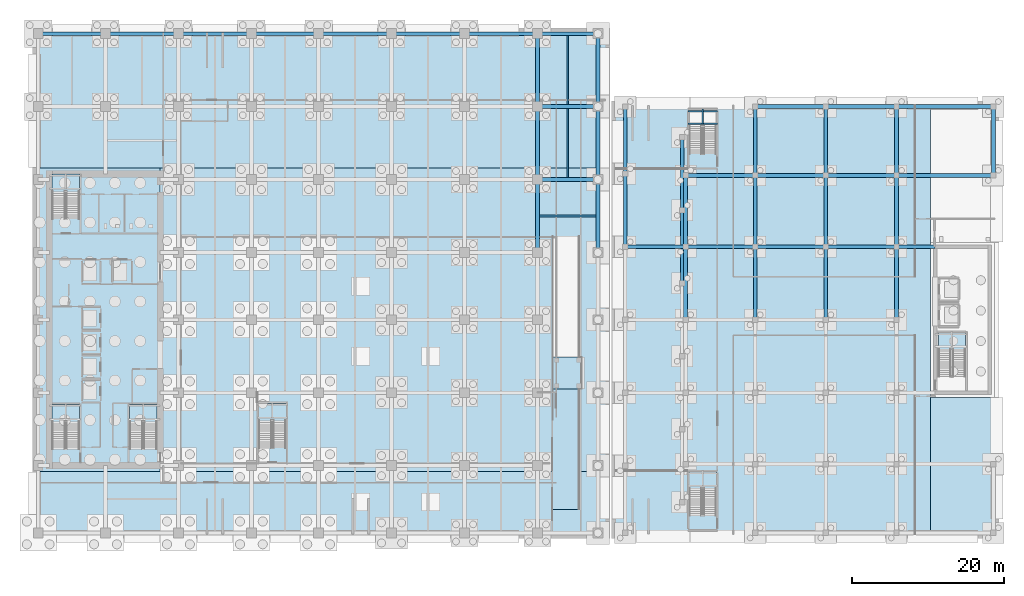
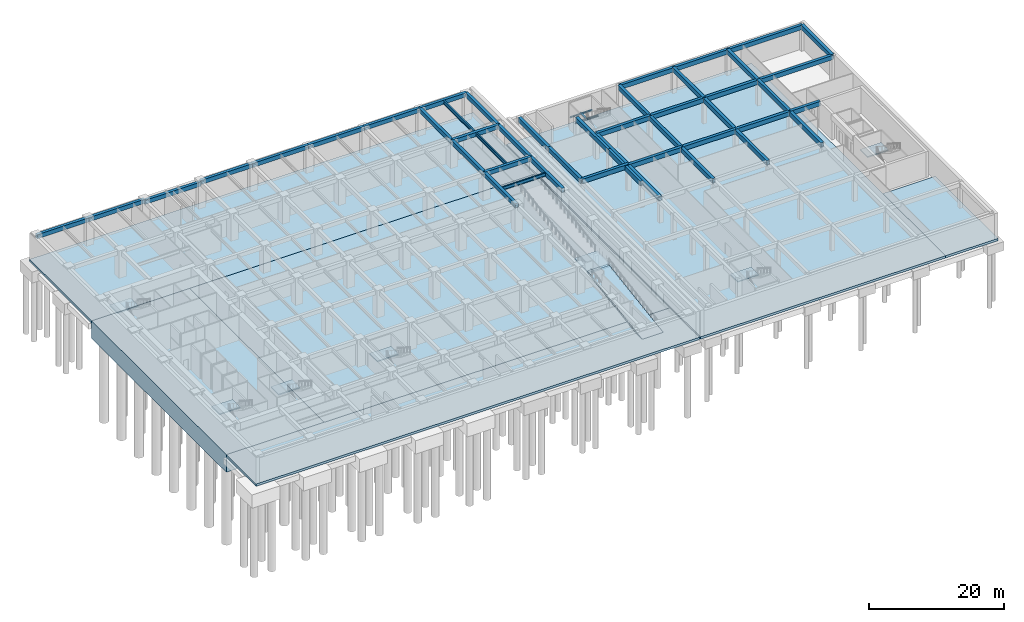
# One storey, part 7 of 20: 50 beams, 14 slabs, 6 elements without a shape of their own.
"""IFC4 building model written with IfcOpenShell, lengths in metres."""

import ifcopenshell
import ifcopenshell.guid

model = None  # the IFC model being written
_history = None  # IfcOwnerHistory: only IFC2X3 demands one
_inside = {}  # id of a spatial element -> (the spatial element, [elements in it])
_under = {}  # id of a project, library or spatial element -> (it, [spatial elements below it])
_declared = {}  # id of a project -> (the project, [libraries it declares])
_typed = {}  # id of a type object -> (the type object, [elements of that type])
_made_of = {}  # id of a material, layer set ... -> (it, [elements and type objects made of it])


def new_model(schema):
    """Start an empty IFC model of exactly this schema.

    Asked for "IFC4X3", IfcOpenShell would pick the latest addendum, in which some entities
    have other attributes; the version numbers below select the first issue.
    IFC2X3 requires an IfcOwnerHistory on every rooted entity: one is made here for all.
    """
    global model, _history
    if schema == "IFC4X3":
        model = ifcopenshell.file(schema_version=(4, 3, 0, 0))
    else:
        model = ifcopenshell.file(schema=schema)
    _inside.clear()
    _under.clear()
    _declared.clear()
    _typed.clear()
    _made_of.clear()
    _history = None
    if model.schema == "IFC2X3":
        org = make("IfcOrganization", Name="unknown")
        user = make(
            "IfcPersonAndOrganization",
            ThePerson=make("IfcPerson", FamilyName="unknown"),
            TheOrganization=org,
        )
        app = make(
            "IfcApplication",
            ApplicationDeveloper=org,
            Version="unknown",
            ApplicationFullName="unknown",
            ApplicationIdentifier="unknown",
        )
        _history = make(
            "IfcOwnerHistory",
            OwningUser=user,
            OwningApplication=app,
            ChangeAction="ADDED",
            CreationDate=0,
        )
    return model


def make(cls, **values):
    """One entity of the class cls with the attributes given. An attribute that is None is left unset."""
    return model.create_entity(
        cls, **{name: value for name, value in values.items() if value is not None}
    )


def rooted(cls, **values):
    """An entity with a GlobalId (a new one), such as an element, a storey or a relation."""
    return make(cls, GlobalId=ifcopenshell.guid.new(), OwnerHistory=_history, **values)


def si_unit(unit_type, name, prefix=None):
    """IfcSIUnit, for example si_unit("LENGTHUNIT", "METRE", prefix="MILLI")."""
    return make("IfcSIUnit", UnitType=unit_type, Prefix=prefix, Name=name)


def assignment(units):
    """IfcUnitAssignment: the units of a project."""
    return None if units is None else make("IfcUnitAssignment", Units=units)


def point(xyz):
    """IfcCartesianPoint."""
    return None if xyz is None else make("IfcCartesianPoint", Coordinates=xyz)


def direction(xyz):
    """IfcDirection."""
    return None if xyz is None else make("IfcDirection", DirectionRatios=xyz)


def frame(location, z_axis=None, x_axis=None):
    """IfcAxis2Placement3D, a coordinate frame: its origin and axes. An axis left out is left unset."""
    return make(
        "IfcAxis2Placement3D",
        Location=point(location),
        Axis=direction(z_axis),
        RefDirection=direction(x_axis),
    )


def frame_2d(location, x_axis=None):
    """IfcAxis2Placement2D, a coordinate frame in the plane: its origin and x axis."""
    return make(
        "IfcAxis2Placement2D", Location=point(location), RefDirection=direction(x_axis)
    )


def origin():
    """The frame at (0, 0, 0) with its axes left unset."""
    return frame((0.0, 0.0, 0.0))


def origin_2d():
    """The frame at (0, 0) in the plane with its x axis left unset."""
    return frame_2d((0.0, 0.0))


def place(relative_to, where):
    """IfcLocalPlacement: puts the frame where relative to a parent placement (None: the world)."""
    return make(
        "IfcLocalPlacement", PlacementRelTo=relative_to, RelativePlacement=where
    )


def context(
    kind, dimensions, precision=None, world=None, true_north=None, identifier=None
):
    """IfcGeometricRepresentationContext, for example the 3D "Model" context."""
    return make(
        "IfcGeometricRepresentationContext",
        ContextIdentifier=identifier,
        ContextType=kind,
        CoordinateSpaceDimension=dimensions,
        Precision=precision,
        WorldCoordinateSystem=world,
        TrueNorth=true_north,
    )


def subcontext(parent, identifier, kind, view, scale=None):
    """IfcGeometricRepresentationSubContext, for example "Body" below "Model"."""
    return make(
        "IfcGeometricRepresentationSubContext",
        ContextIdentifier=identifier,
        ContextType=kind,
        ParentContext=parent,
        TargetScale=scale,
        TargetView=view,
    )


def project(units=None, contexts=None):
    """IfcProject with its units and contexts."""
    return rooted(
        "IfcProject",
        Name="project",
        RepresentationContexts=contexts,
        UnitsInContext=assignment(units),
    )


def spatial(cls, under=None, at=None, **own):
    """A site, building, storey or space (cls), placed at a placement, below another one or the project."""
    s = rooted(cls, ObjectPlacement=at, **own)
    if under is not None:
        _under.setdefault(under.id(), (under, []))[1].append(s)
    return s


def polyline(points):
    """IfcPolyline through the points."""
    return make("IfcPolyline", Points=[point(p) for p in points])


def profile(cls, at=None, kind="AREA", **sizes):
    """A parametric profile (cls). Its sizes go by their IFC names, for example OverallWidth=200.0."""
    return make(cls, ProfileType=kind, Position=at, **sizes)


def rectangle(**sizes):
    """IfcRectangleProfileDef."""
    return profile("IfcRectangleProfileDef", **sizes)


def i_section(**sizes):
    """IfcIShapeProfileDef."""
    return profile("IfcIShapeProfileDef", **sizes)


def outline(outer, holes=None, kind="AREA"):
    """IfcArbitraryClosedProfileDef: a profile drawn as a closed curve; with holes, ...WithVoids."""
    if holes is None:
        return make("IfcArbitraryClosedProfileDef", ProfileType=kind, OuterCurve=outer)
    return make(
        "IfcArbitraryProfileDefWithVoids",
        ProfileType=kind,
        OuterCurve=outer,
        InnerCurves=holes,
    )


def extrude(swept, where, along, depth):
    """IfcExtrudedAreaSolid: the profile swept, set in the frame where, extruded along a direction by depth."""
    return make(
        "IfcExtrudedAreaSolid",
        SweptArea=swept,
        Position=where,
        ExtrudedDirection=direction(along),
        Depth=depth,
    )


def shape(context_of_items, identifier, shape_type, items):
    """IfcShapeRepresentation: the items that make up one representation, for example the "Body"."""
    return make(
        "IfcShapeRepresentation",
        ContextOfItems=context_of_items,
        RepresentationIdentifier=identifier,
        RepresentationType=shape_type,
        Items=items,
    )


def material(Name=None, Category=None):
    """IfcMaterial."""
    return make("IfcMaterial", Name=Name, Category=Category)


def layer(
    of_material, thickness, ventilated=None, Name=None, Category=None, Priority=None
):
    """IfcMaterialLayer: one layer of a wall or slab, of a material (None: an air gap)."""
    return make(
        "IfcMaterialLayer",
        Material=of_material,
        LayerThickness=thickness,
        IsVentilated=ventilated,
        Name=Name,
        Category=Category,
        Priority=Priority,
    )


def layer_set(layers, Name=None):
    """IfcMaterialLayerSet."""
    return make("IfcMaterialLayerSet", MaterialLayers=layers, LayerSetName=Name)


def material_profile(
    of_material, cross_section, Name=None, Category=None, Priority=None
):
    """IfcMaterialProfile: a cross section and its material."""
    return make(
        "IfcMaterialProfile",
        Name=Name,
        Material=of_material,
        Profile=cross_section,
        Priority=Priority,
        Category=Category,
    )


def profile_set(profiles, Name=None, composite=None):
    """IfcMaterialProfileSet."""
    return make(
        "IfcMaterialProfileSet",
        Name=Name,
        MaterialProfiles=profiles,
        CompositeProfile=composite,
    )


def made_of(thing, what):
    """Note that an element or type object is made of a material, layer set ...; save() writes the relation."""
    if what is not None:
        _made_of.setdefault(what.id(), (what, []))[1].append(thing)
    return thing


def type_object(cls, material=None, **own):
    """A type object (cls), such as IfcWallType, which elements share."""
    return made_of(rooted(cls, **own), material)


def element(
    cls,
    number,
    at=None,
    inside=None,
    cuts=None,
    type_object=None,
    material=None,
    context=None,
    identifier="Body",
    shape_type=None,
    held_by="IfcProductDefinitionShape",
    body=None,
    shapes=None,
    **own,
):
    """One element of the class cls, such as IfcWall. Its Tag is "e" and its number.

    at: its placement. inside: the storey or other place that contains it. cuts: it is an
    opening in that element (IfcRelVoidsElement). A single representation is given by context,
    identifier, shape_type and body (its items); several are given by shapes. held_by: the class
    of the entity that holds the representations. save() writes the other relations.
    """
    e = rooted(cls, Tag="e%d" % number, ObjectPlacement=at, **own)
    if body is not None:
        shapes = [shape(context, identifier, shape_type, body)]
    if shapes is not None:
        e.Representation = make(held_by, Representations=shapes)
    if inside is not None:
        _inside.setdefault(inside.id(), (inside, []))[1].append(e)
    if cuts is not None:
        rooted(
            "IfcRelVoidsElement", RelatingBuildingElement=cuts, RelatedOpeningElement=e
        )
    if type_object is not None:
        _typed.setdefault(type_object.id(), (type_object, []))[1].append(e)
    return made_of(e, material)


def aggregate(whole, parts):
    """IfcRelAggregates: a whole, such as a stair, and the parts it consists of."""
    return rooted("IfcRelAggregates", RelatingObject=whole, RelatedObjects=parts)


def save(model, path):
    """Write the relations noted so far, then the file.

    IfcRelAggregates (storeys below a building ...), IfcRelContainedInSpatialStructure (elements
    in a storey), IfcRelDefinesByType, IfcRelAssociatesMaterial and IfcRelDeclares: one each for
    every whole, place, type object, material and project.
    """
    for whole, parts in _under.values():
        aggregate(whole, parts)
    for where, things in _inside.values():
        rooted(
            "IfcRelContainedInSpatialStructure",
            RelatedElements=things,
            RelatingStructure=where,
        )
    for kind, things in _typed.values():
        rooted("IfcRelDefinesByType", RelatedObjects=things, RelatingType=kind)
    for what, things in _made_of.values():
        rooted("IfcRelAssociatesMaterial", RelatedObjects=things, RelatingMaterial=what)
    for by, libraries in _declared.values():
        rooted("IfcRelDeclares", RelatingContext=by, RelatedDefinitions=libraries)
    model.write(path)


model = new_model("IFC4")

# Units and contexts
model_context = context("Model", 3, precision=1e-05, world=origin(), true_north=direction((0.0, 1.0)))
body_context = subcontext(model_context, "Body", "Model", "MODEL_VIEW")
ifc_project = project(units=[si_unit("LENGTHUNIT", "METRE"), si_unit("AREAUNIT", "SQUARE_METRE"), si_unit("VOLUMEUNIT", "CUBIC_METRE"), si_unit("PLANEANGLEUNIT", "RADIAN"), si_unit("MASSUNIT", "GRAM", prefix="KILO")], contexts=[model_context])

# Site, building, storey
site_placement = place(None, origin())
site = spatial("IfcSite", under=ifc_project, at=site_placement, CompositionType="ELEMENT")
building_placement = place(site_placement, origin())
building = spatial("IfcBuilding", under=site, at=building_placement, Name="Norrvale University Quadrangle", CompositionType="ELEMENT")
storey_placement = place(building_placement, frame((0.0, 0.0, -5.0)))
storey = spatial("IfcBuildingStorey", under=building, at=storey_placement, Name="B01", CompositionType="ELEMENT", Elevation=-5.0)

# Beams
ifc_material_1 = material(Name="Concrete C60/75", Category="concrete")
ifc_material_profile_1 = material_profile(ifc_material_1, rectangle(XDim=0.5, YDim=0.75, at=origin_2d()), Name="Concrete C60/75")
ifc_profile_set_1 = profile_set([ifc_material_profile_1], Name="Concrete C60/75")
beam_type_1 = type_object("IfcBeamType", Name="Beam Edge 500x750", PredefinedType="BEAM", material=ifc_profile_set_1)
for number, where, z_axis, x_axis, name in (
    (1, (66.449951171875, 47.25, 4.405029296875), (1.0, 0.0, 0.0), (0.0, 1.0, 0.0), "Beam Edge 500x750 BM-B01-GX034"),
    (2, (66.449951171875, 56.85009765625, 4.405029296875), (1.0, 0.0, 0.0), (0.0, 1.0, 0.0), "Beam Edge 500x750 BM-B01-GX042"),
):
    element("IfcBeam", number, at=place(storey_placement, frame(where, z_axis=z_axis, x_axis=x_axis)), inside=storey, type_object=beam_type_1, Name=name, PredefinedType="BEAM", context=body_context, shape_type="SweptSolid", body=[
        extrude(rectangle(XDim=0.5, YDim=0.75, at=origin_2d()), origin(), (0.0, 0.0, 1.0), 7.949951171875),
    ])
beam_1_placement = place(storey_placement, frame((0.75, 66.449951171875, 4.405029296875), z_axis=(1.0, 0.0, 0.0), x_axis=(0.0, 1.0, 0.0)))
element("IfcBeam", 3, at=beam_1_placement, inside=storey, type_object=beam_type_1, Name="Beam Edge 500x750 BM-B01-GX043", PredefinedType="BEAM", context=body_context, shape_type="SweptSolid", body=[
    extrude(rectangle(XDim=0.5, YDim=0.75, at=origin_2d()), origin(), (0.0, 0.0, 1.0), 8.85009765625),
])
beam_2_placement = place(storey_placement, frame((9.60009765625, 66.449951171875, 4.405029296875), z_axis=(1.0, 0.0, 0.0), x_axis=(0.0, 1.0, 0.0)))
element("IfcBeam", 4, at=beam_2_placement, inside=storey, type_object=beam_type_1, Name="Beam Edge 500x750 BM-B01-GX044", PredefinedType="BEAM", context=body_context, shape_type="SweptSolid", body=[
    extrude(rectangle(XDim=0.5, YDim=0.75, at=origin_2d()), origin(), (0.0, 0.0, 1.0), 9.599853515625),
])
beam_3_placement = place(storey_placement, frame((19.199951171875, 66.449951171875, 4.1650390625), z_axis=(1.0, 0.0, 0.0), x_axis=(0.0, 1.0, 0.0)))
element("IfcBeam", 5, at=beam_3_placement, inside=storey, type_object=beam_type_1, Name="Beam Edge 500x750 BM-B01-GX045", PredefinedType="BEAM", context=body_context, shape_type="SweptSolid", body=[
    extrude(rectangle(XDim=0.5, YDim=0.75, at=origin_2d()), origin(), (0.0, 0.0, 1.0), 9.60009765625),
])
beam_4_placement = place(storey_placement, frame((28.800048828125, 66.449951171875, 4.405029296875), z_axis=(1.0, 0.0, 0.0), x_axis=(0.0, 1.0, 0.0)))
element("IfcBeam", 6, at=beam_4_placement, inside=storey, type_object=beam_type_1, Name="Beam Edge 500x750 BM-B01-GX046", PredefinedType="BEAM", context=body_context, shape_type="SweptSolid", body=[
    extrude(rectangle(XDim=0.5, YDim=0.75, at=origin_2d()), origin(), (0.0, 0.0, 1.0), 8.849853515625),
])
for number, where, z_axis, x_axis, name in (
    (7, (37.64990234375, 66.449951171875, 4.405029296875), (1.0, 0.0, 0.0), (0.0, 1.0, 0.0), "Beam Edge 500x750 BM-B01-GX047"),
    (8, (47.25, 66.449951171875, 4.405029296875), (1.0, 0.0, 0.0), (0.0, 1.0, 0.0), "Beam Edge 500x750 BM-B01-GX048"),
):
    element("IfcBeam", number, at=place(storey_placement, frame(where, z_axis=z_axis, x_axis=x_axis)), inside=storey, type_object=beam_type_1, Name=name, PredefinedType="BEAM", context=body_context, shape_type="SweptSolid", body=[
        extrude(rectangle(XDim=0.5, YDim=0.75, at=origin_2d()), origin(), (0.0, 0.0, 1.0), 9.60009765625),
    ])
beam_5_placement = place(storey_placement, frame((56.85009765625, 66.449951171875, 4.405029296875), z_axis=(1.0, 0.0, 0.0), x_axis=(0.0, 1.0, 0.0)))
element("IfcBeam", 9, at=beam_5_placement, inside=storey, type_object=beam_type_1, Name="Beam Edge 500x750 BM-B01-GX049", PredefinedType="BEAM", context=body_context, shape_type="SweptSolid", body=[
    extrude(rectangle(XDim=0.5, YDim=0.75, at=origin_2d()), origin(), (0.0, 0.0, 1.0), 9.599853515625),
])
beam_6_placement = place(storey_placement, frame((66.449951171875, 66.449951171875, 4.405029296875), z_axis=(1.0, 0.0, 0.0), x_axis=(0.0, 1.0, 0.0)))
element("IfcBeam", 10, at=beam_6_placement, inside=storey, type_object=beam_type_1, Name="Beam Edge 500x750 BM-B01-GX050", PredefinedType="BEAM", context=body_context, shape_type="SweptSolid", body=[
    extrude(rectangle(XDim=0.5, YDim=0.75, at=origin_2d()), origin(), (0.0, 0.0, 1.0), 7.949951171875),
])
for number, where, z_axis, x_axis, name in (
    (11, (66.449951171875, 37.64990234375, 4.405029296875), (0.0, 1.0, 0.0), (-1.0, 0.0, 0.0), "Beam Edge 500x750 BM-B01-GY098"),
    (12, (66.449951171875, 47.25, 4.405029296875), (0.0, 1.0, 0.0), (-1.0, 0.0, 0.0), "Beam Edge 500x750 BM-B01-GY099"),
):
    element("IfcBeam", number, at=place(storey_placement, frame(where, z_axis=z_axis, x_axis=x_axis)), inside=storey, type_object=beam_type_1, Name=name, PredefinedType="BEAM", context=body_context, shape_type="SweptSolid", body=[
        extrude(rectangle(XDim=0.5, YDim=0.75, at=origin_2d()), origin(), (0.0, 0.0, 1.0), 9.60009765625),
    ])
beam_7_placement = place(storey_placement, frame((66.449951171875, 56.85009765625, 4.405029296875), z_axis=(0.0, 1.0, 0.0), x_axis=(-1.0, 0.0, 0.0)))
element("IfcBeam", 13, at=beam_7_placement, inside=storey, type_object=beam_type_1, Name="Beam Edge 500x750 BM-B01-GY100", PredefinedType="BEAM", context=body_context, shape_type="SweptSolid", body=[
    extrude(rectangle(XDim=0.5, YDim=0.75, at=origin_2d()), origin(), (0.0, 0.0, 1.0), 9.599853515625),
])
for number, where, z_axis, x_axis, name in (
    (14, (74.39990234375, 37.64990234375, 4.405029296875), (0.0, 1.0, 0.0), (-1.0, 0.0, 0.0), "Beam Edge 500x750 BM-B01-GY105"),
    (15, (74.39990234375, 47.25, 4.405029296875), (0.0, 1.0, 0.0), (-1.0, 0.0, 0.0), "Beam Edge 500x750 BM-B01-GY106"),
):
    element("IfcBeam", number, at=place(storey_placement, frame(where, z_axis=z_axis, x_axis=x_axis)), inside=storey, type_object=beam_type_1, Name=name, PredefinedType="BEAM", context=body_context, shape_type="SweptSolid", body=[
        extrude(rectangle(XDim=0.5, YDim=0.75, at=origin_2d()), origin(), (0.0, 0.0, 1.0), 9.60009765625),
    ])
beam_8_placement = place(storey_placement, frame((74.39990234375, 56.85009765625, 4.405029296875), z_axis=(0.0, 1.0, 0.0), x_axis=(-1.0, 0.0, 0.0)))
element("IfcBeam", 16, at=beam_8_placement, inside=storey, type_object=beam_type_1, Name="Beam Edge 500x750 BM-B01-GY107", PredefinedType="BEAM", context=body_context, shape_type="SweptSolid", body=[
    extrude(rectangle(XDim=0.5, YDim=0.75, at=origin_2d()), origin(), (0.0, 0.0, 1.0), 9.599853515625),
])
ifc_material_2 = material(Name="Steel 350W", Category="steel")
ifc_material_profile_2 = material_profile(ifc_material_2, i_section(OverallWidth=0.22998046875, OverallDepth=0.616943359375, WebThickness=0.01318359375, FlangeThickness=0.022216796875, FilletRadius=0.01611328125, at=origin_2d()), Name="Steel 350W")
ifc_profile_set_2 = profile_set([ifc_material_profile_2], Name="Steel 350W")
beam_type_2 = type_object("IfcBeamType", Name="Beam Floor W610x140", PredefinedType="BEAM", material=ifc_profile_set_2)
beam_9_placement = place(storey_placement, frame((66.699951171875, 42.449951171875, 4.471435546875), z_axis=(1.0, 0.0, 0.0), x_axis=(0.0, 1.0, 0.0)))
element("IfcBeam", 17, at=beam_9_placement, inside=storey, type_object=beam_type_2, Name="Beam Floor W610x140 BM-B01-J154", PredefinedType="BEAM", context=body_context, shape_type="SweptSolid", body=[
    extrude(i_section(OverallWidth=0.22998046875, OverallDepth=0.616943359375, WebThickness=0.01318359375, FlangeThickness=0.022216796875, FilletRadius=0.01611328125, at=origin_2d()), origin(), (0.0, 0.0, 1.0), 7.449951171875),
])
beam_10_placement = place(storey_placement, frame((70.425048828125, 47.5, 4.471435546875), z_axis=(0.0, 1.0, 0.0), x_axis=(-1.0, 0.0, 0.0)))
element("IfcBeam", 18, at=beam_10_placement, inside=storey, type_object=beam_type_2, Name="Beam Floor W610x140 BM-B01-J155", PredefinedType="BEAM", context=body_context, shape_type="SweptSolid", body=[
    extrude(i_section(OverallWidth=0.22998046875, OverallDepth=0.616943359375, WebThickness=0.01318359375, FlangeThickness=0.022216796875, FilletRadius=0.01611328125, at=origin_2d()), origin(), (0.0, 0.0, 1.0), 9.10009765625),
])
beam_11_placement = place(storey_placement, frame((70.425048828125, 57.10009765625, 4.471435546875), z_axis=(0.0, 1.0, 0.0), x_axis=(-1.0, 0.0, 0.0)))
element("IfcBeam", 19, at=beam_11_placement, inside=storey, type_object=beam_type_2, Name="Beam Floor W610x140 BM-B01-J156", PredefinedType="BEAM", context=body_context, shape_type="SweptSolid", body=[
    extrude(i_section(OverallWidth=0.22998046875, OverallDepth=0.616943359375, WebThickness=0.01318359375, FlangeThickness=0.022216796875, FilletRadius=0.01611328125, at=origin_2d()), origin(), (0.0, 0.0, 1.0), 9.099853515625),
])
ifc_material_profile_3 = material_profile(ifc_material_1, rectangle(XDim=0.5, YDim=0.800048828125, at=origin_2d()), Name="Concrete C60/75")
ifc_profile_set_3 = profile_set([ifc_material_profile_3], Name="Concrete C60/75")
beam_type_3 = type_object("IfcBeamType", Name="Beam Lib 500x800", PredefinedType="BEAM", material=ifc_profile_set_3)
beam_12_placement = place(storey_placement, frame((78.0, 38.39990234375, 4.3798828125), z_axis=(1.0, 0.0, 0.0), x_axis=(0.0, 1.0, 0.0)))
element("IfcBeam", 20, at=beam_12_placement, inside=storey, type_object=beam_type_3, Name="Beam Lib 500x800 BM-B01-LGX016", PredefinedType="BEAM", context=body_context, shape_type="SweptSolid", body=[
    extrude(rectangle(XDim=0.5, YDim=0.800048828125, at=origin_2d()), origin(), (0.0, 0.0, 1.0), 7.949951171875),
])
beam_13_placement = place(storey_placement, frame((85.949951171875, 38.39990234375, 4.25), z_axis=(1.0, 0.0, 0.0), x_axis=(0.0, 1.0, 0.0)))
element("IfcBeam", 21, at=beam_13_placement, inside=storey, type_object=beam_type_3, Name="Beam Lib 500x800 BM-B01-LGX017", PredefinedType="BEAM", context=body_context, shape_type="SweptSolid", body=[
    extrude(rectangle(XDim=0.5, YDim=0.800048828125, at=origin_2d()), origin(), (0.0, 0.0, 1.0), 9.150146484375),
])
beam_14_placement = place(storey_placement, frame((95.10009765625, 38.39990234375, 4.25), z_axis=(1.0, 0.0, 0.0), x_axis=(0.0, 1.0, 0.0)))
element("IfcBeam", 22, at=beam_14_placement, inside=storey, type_object=beam_type_3, Name="Beam Lib 500x800 BM-B01-LGX018", PredefinedType="BEAM", context=body_context, shape_type="SweptSolid", body=[
    extrude(rectangle(XDim=0.5, YDim=0.800048828125, at=origin_2d()), origin(), (0.0, 0.0, 1.0), 9.2998046875),
])
beam_15_placement = place(storey_placement, frame((104.39990234375, 38.39990234375, 4.25), z_axis=(1.0, 0.0, 0.0), x_axis=(0.0, 1.0, 0.0)))
element("IfcBeam", 23, at=beam_15_placement, inside=storey, type_object=beam_type_3, Name="Beam Lib 500x800 BM-B01-LGX019", PredefinedType="BEAM", context=body_context, shape_type="SweptSolid", body=[
    extrude(rectangle(XDim=0.5, YDim=0.800048828125, at=origin_2d()), origin(), (0.0, 0.0, 1.0), 9.300048828125),
])
beam_16_placement = place(storey_placement, frame((85.949951171875, 47.800048828125, 4.25), z_axis=(1.0, 0.0, 0.0), x_axis=(0.0, 1.0, 0.0)))
element("IfcBeam", 24, at=beam_16_placement, inside=storey, type_object=beam_type_3, Name="Beam Lib 500x800 BM-B01-LGX020", PredefinedType="BEAM", context=body_context, shape_type="SweptSolid", body=[
    extrude(rectangle(XDim=0.5, YDim=0.800048828125, at=origin_2d()), origin(), (0.0, 0.0, 1.0), 9.150146484375),
])
beam_17_placement = place(storey_placement, frame((95.10009765625, 47.800048828125, 4.25), z_axis=(1.0, 0.0, 0.0), x_axis=(0.0, 1.0, 0.0)))
element("IfcBeam", 25, at=beam_17_placement, inside=storey, type_object=beam_type_3, Name="Beam Lib 500x800 BM-B01-LGX021", PredefinedType="BEAM", context=body_context, shape_type="SweptSolid", body=[
    extrude(rectangle(XDim=0.5, YDim=0.800048828125, at=origin_2d()), origin(), (0.0, 0.0, 1.0), 9.2998046875),
])
beam_18_placement = place(storey_placement, frame((104.39990234375, 47.800048828125, 4.25), z_axis=(1.0, 0.0, 0.0), x_axis=(0.0, 1.0, 0.0)))
element("IfcBeam", 26, at=beam_18_placement, inside=storey, type_object=beam_type_3, Name="Beam Lib 500x800 BM-B01-LGX022", PredefinedType="BEAM", context=body_context, shape_type="SweptSolid", body=[
    extrude(rectangle(XDim=0.5, YDim=0.800048828125, at=origin_2d()), origin(), (0.0, 0.0, 1.0), 9.300048828125),
])
beam_19_placement = place(storey_placement, frame((113.699951171875, 47.800048828125, 4.25), z_axis=(1.0, 0.0, 0.0), x_axis=(0.0, 1.0, 0.0)))
element("IfcBeam", 27, at=beam_19_placement, inside=storey, type_object=beam_type_3, Name="Beam Lib 500x800 BM-B01-LGX023", PredefinedType="BEAM", context=body_context, shape_type="SweptSolid", body=[
    extrude(rectangle(XDim=0.5, YDim=0.800048828125, at=origin_2d()), origin(), (0.0, 0.0, 1.0), 12.75),
])
beam_20_placement = place(storey_placement, frame((95.10009765625, 56.85009765625, 4.25), z_axis=(1.0, 0.0, 0.0), x_axis=(0.0, 1.0, 0.0)))
element("IfcBeam", 28, at=beam_20_placement, inside=storey, type_object=beam_type_3, Name="Beam Lib 500x800 BM-B01-LGX024", PredefinedType="BEAM", context=body_context, shape_type="SweptSolid", body=[
    extrude(rectangle(XDim=0.5, YDim=0.800048828125, at=origin_2d()), origin(), (0.0, 0.0, 1.0), 9.2998046875),
])
beam_21_placement = place(storey_placement, frame((104.39990234375, 56.85009765625, 4.25), z_axis=(1.0, 0.0, 0.0), x_axis=(0.0, 1.0, 0.0)))
element("IfcBeam", 29, at=beam_21_placement, inside=storey, type_object=beam_type_3, Name="Beam Lib 500x800 BM-B01-LGX025", PredefinedType="BEAM", context=body_context, shape_type="SweptSolid", body=[
    extrude(rectangle(XDim=0.5, YDim=0.800048828125, at=origin_2d()), origin(), (0.0, 0.0, 1.0), 9.300048828125),
])
beam_22_placement = place(storey_placement, frame((113.699951171875, 56.85009765625, 4.25), z_axis=(1.0, 0.0, 0.0), x_axis=(0.0, 1.0, 0.0)))
element("IfcBeam", 30, at=beam_22_placement, inside=storey, type_object=beam_type_3, Name="Beam Lib 500x800 BM-B01-LGX026", PredefinedType="BEAM", context=body_context, shape_type="SweptSolid", body=[
    extrude(rectangle(XDim=0.5, YDim=0.800048828125, at=origin_2d()), origin(), (0.0, 0.0, 1.0), 12.75),
])
beam_23_placement = place(storey_placement, frame((78.0, 38.39990234375, 4.3798828125), z_axis=(0.0, 1.0, 0.0), x_axis=(-1.0, 0.0, 0.0)))
element("IfcBeam", 31, at=beam_23_placement, inside=storey, type_object=beam_type_3, Name="Beam Lib 500x800 BM-B01-LGY031", PredefinedType="BEAM", context=body_context, shape_type="SweptSolid", body=[
    extrude(rectangle(XDim=0.5, YDim=0.800048828125, at=origin_2d()), origin(), (0.0, 0.0, 1.0), 9.60009765625),
])
beam_24_placement = place(storey_placement, frame((78.0, 48.0, 4.3798828125), z_axis=(0.0, 1.0, 0.0), x_axis=(-1.0, 0.0, 0.0)))
element("IfcBeam", 32, at=beam_24_placement, inside=storey, type_object=beam_type_3, Name="Beam Lib 500x800 BM-B01-LGY032", PredefinedType="BEAM", context=body_context, shape_type="SweptSolid", body=[
    extrude(rectangle(XDim=0.5, YDim=0.800048828125, at=origin_2d()), origin(), (0.0, 0.0, 1.0), 8.85009765625),
])
beam_25_placement = place(storey_placement, frame((85.5, 33.60009765625, 4.25), z_axis=(0.0, 1.0, 0.0), x_axis=(-1.0, 0.0, 0.0)))
element("IfcBeam", 33, at=beam_25_placement, inside=storey, type_object=beam_type_3, Name="Beam Lib 500x800 BM-B01-LGY036", PredefinedType="BEAM", context=body_context, shape_type="SweptSolid", body=[
    extrude(rectangle(XDim=0.5, YDim=0.800048828125, at=origin_2d()), origin(), (0.0, 0.0, 1.0), 9.599853515625),
])
beam_26_placement = place(storey_placement, frame((85.5, 43.199951171875, 4.25), z_axis=(0.0, 1.0, 0.0), x_axis=(-1.0, 0.0, 0.0)))
element("IfcBeam", 34, at=beam_26_placement, inside=storey, type_object=beam_type_3, Name="Beam Lib 500x800 BM-B01-LGY037", PredefinedType="BEAM", context=body_context, shape_type="SweptSolid", body=[
    extrude(rectangle(XDim=0.5, YDim=0.800048828125, at=origin_2d()), origin(), (0.0, 0.0, 1.0), 9.60009765625),
])
beam_27_placement = place(storey_placement, frame((85.949951171875, 28.800048828125, 4.25), z_axis=(0.0, 1.0, 0.0), x_axis=(-1.0, 0.0, 0.0)))
element("IfcBeam", 35, at=beam_27_placement, inside=storey, type_object=beam_type_3, Name="Beam Lib 500x800 BM-B01-LGY040", PredefinedType="BEAM", context=body_context, shape_type="SweptSolid", body=[
    extrude(rectangle(XDim=0.5, YDim=0.800048828125, at=origin_2d()), origin(), (0.0, 0.0, 1.0), 9.599853515625),
])
beam_28_placement = place(storey_placement, frame((85.949951171875, 38.39990234375, 4.25), z_axis=(0.0, 1.0, 0.0), x_axis=(-1.0, 0.0, 0.0)))
element("IfcBeam", 36, at=beam_28_placement, inside=storey, type_object=beam_type_3, Name="Beam Lib 500x800 BM-B01-LGY041", PredefinedType="BEAM", context=body_context, shape_type="SweptSolid", body=[
    extrude(rectangle(XDim=0.5, YDim=0.800048828125, at=origin_2d()), origin(), (0.0, 0.0, 1.0), 9.400146484375),
])
beam_29_placement = place(storey_placement, frame((95.10009765625, 28.800048828125, 4.25), z_axis=(0.0, 1.0, 0.0), x_axis=(-1.0, 0.0, 0.0)))
element("IfcBeam", 37, at=beam_29_placement, inside=storey, type_object=beam_type_3, Name="Beam Lib 500x800 BM-B01-LGY045", PredefinedType="BEAM", context=body_context, shape_type="SweptSolid", body=[
    extrude(rectangle(XDim=0.5, YDim=0.800048828125, at=origin_2d()), origin(), (0.0, 0.0, 1.0), 9.599853515625),
])
beam_30_placement = place(storey_placement, frame((95.10009765625, 38.39990234375, 4.25), z_axis=(0.0, 1.0, 0.0), x_axis=(-1.0, 0.0, 0.0)))
element("IfcBeam", 38, at=beam_30_placement, inside=storey, type_object=beam_type_3, Name="Beam Lib 500x800 BM-B01-LGY046", PredefinedType="BEAM", context=body_context, shape_type="SweptSolid", body=[
    extrude(rectangle(XDim=0.5, YDim=0.800048828125, at=origin_2d()), origin(), (0.0, 0.0, 1.0), 9.400146484375),
])
beam_31_placement = place(storey_placement, frame((95.10009765625, 47.800048828125, 4.25), z_axis=(0.0, 1.0, 0.0), x_axis=(-1.0, 0.0, 0.0)))
element("IfcBeam", 39, at=beam_31_placement, inside=storey, type_object=beam_type_3, Name="Beam Lib 500x800 BM-B01-LGY047", PredefinedType="BEAM", context=body_context, shape_type="SweptSolid", body=[
    extrude(rectangle(XDim=0.5, YDim=0.800048828125, at=origin_2d()), origin(), (0.0, 0.0, 1.0), 9.050048828125),
])
beam_32_placement = place(storey_placement, frame((104.39990234375, 28.800048828125, 4.25), z_axis=(0.0, 1.0, 0.0), x_axis=(-1.0, 0.0, 0.0)))
element("IfcBeam", 40, at=beam_32_placement, inside=storey, type_object=beam_type_3, Name="Beam Lib 500x800 BM-B01-LGY051", PredefinedType="BEAM", context=body_context, shape_type="SweptSolid", body=[
    extrude(rectangle(XDim=0.5, YDim=0.800048828125, at=origin_2d()), origin(), (0.0, 0.0, 1.0), 9.599853515625),
])
beam_33_placement = place(storey_placement, frame((104.39990234375, 38.39990234375, 4.25), z_axis=(0.0, 1.0, 0.0), x_axis=(-1.0, 0.0, 0.0)))
element("IfcBeam", 41, at=beam_33_placement, inside=storey, type_object=beam_type_3, Name="Beam Lib 500x800 BM-B01-LGY052", PredefinedType="BEAM", context=body_context, shape_type="SweptSolid", body=[
    extrude(rectangle(XDim=0.5, YDim=0.800048828125, at=origin_2d()), origin(), (0.0, 0.0, 1.0), 9.400146484375),
])
beam_34_placement = place(storey_placement, frame((104.39990234375, 47.800048828125, 4.25), z_axis=(0.0, 1.0, 0.0), x_axis=(-1.0, 0.0, 0.0)))
element("IfcBeam", 42, at=beam_34_placement, inside=storey, type_object=beam_type_3, Name="Beam Lib 500x800 BM-B01-LGY053", PredefinedType="BEAM", context=body_context, shape_type="SweptSolid", body=[
    extrude(rectangle(XDim=0.5, YDim=0.800048828125, at=origin_2d()), origin(), (0.0, 0.0, 1.0), 9.050048828125),
])
beam_35_placement = place(storey_placement, frame((113.699951171875, 28.800048828125, 4.25), z_axis=(0.0, 1.0, 0.0), x_axis=(-1.0, 0.0, 0.0)))
element("IfcBeam", 43, at=beam_35_placement, inside=storey, type_object=beam_type_3, Name="Beam Lib 500x800 BM-B01-LGY057", PredefinedType="BEAM", context=body_context, shape_type="SweptSolid", body=[
    extrude(rectangle(XDim=0.5, YDim=0.800048828125, at=origin_2d()), origin(), (0.0, 0.0, 1.0), 9.599853515625),
])
beam_36_placement = place(storey_placement, frame((113.699951171875, 38.39990234375, 4.25), z_axis=(0.0, 1.0, 0.0), x_axis=(-1.0, 0.0, 0.0)))
element("IfcBeam", 44, at=beam_36_placement, inside=storey, type_object=beam_type_3, Name="Beam Lib 500x800 BM-B01-LGY058", PredefinedType="BEAM", context=body_context, shape_type="SweptSolid", body=[
    extrude(rectangle(XDim=0.5, YDim=0.800048828125, at=origin_2d()), origin(), (0.0, 0.0, 1.0), 9.400146484375),
])
for number, where, z_axis, x_axis, name in (
    (45, (113.699951171875, 47.800048828125, 4.25), (0.0, 1.0, 0.0), (-1.0, 0.0, 0.0), "Beam Lib 500x800 BM-B01-LGY059"),
    (46, (126.449951171875, 47.800048828125, 4.25), (0.0, 1.0, 0.0), (-1.0, 0.0, 0.0), "Beam Lib 500x800 BM-B01-LGY061"),
):
    element("IfcBeam", number, at=place(storey_placement, frame(where, z_axis=z_axis, x_axis=x_axis)), inside=storey, type_object=beam_type_3, Name=name, PredefinedType="BEAM", context=body_context, shape_type="SweptSolid", body=[
        extrude(rectangle(XDim=0.5, YDim=0.800048828125, at=origin_2d()), origin(), (0.0, 0.0, 1.0), 9.050048828125),
    ])
beam_37_placement = place(storey_placement, frame((113.699951171875, 38.39990234375, 4.25), z_axis=(1.0, 0.0, 0.0), x_axis=(0.0, 1.0, 0.0)))
element("IfcBeam", 47, at=beam_37_placement, inside=storey, type_object=beam_type_3, Name="Beam Lib 500x800 BM-B01-LCTIE063", PredefinedType="BEAM", context=body_context, shape_type="SweptSolid", body=[
    extrude(rectangle(XDim=0.5, YDim=0.800048828125, at=origin_2d()), origin(), (0.0, 0.0, 1.0), 5.10009765625),
])
ifc_material_profile_4 = material_profile(ifc_material_2, i_section(OverallWidth=0.201904296875, OverallDepth=0.2470703125, WebThickness=0.00732421875, FlangeThickness=0.010986328125, FilletRadius=0.011962890625, at=origin_2d()), Name="Steel 350W")
ifc_profile_set_4 = profile_set([ifc_material_profile_4], Name="Steel 350W")
beam_type_4 = type_object("IfcBeamType", Name="Beam Stair W250x49", PredefinedType="BEAM", material=ifc_profile_set_4)
for number, where, z_axis, x_axis, name in (
    (48, (86.260009765625, 54.580078125, 2.176513671875), (1.0, 0.0, 0.0), (0.0, 1.0, 0.0), "Stair Mid-Landing Front Beam ST-L3 B01"),
    (49, (86.260009765625, 56.219970703125, 2.176513671875), (1.0, 0.0, 0.0), (0.0, 1.0, 0.0), "Stair Mid-Landing Rear Beam ST-L3 B01"),
):
    element("IfcBeam", number, at=place(storey_placement, frame(where, z_axis=z_axis, x_axis=x_axis)), inside=storey, type_object=beam_type_4, Name=name, PredefinedType="BEAM", context=body_context, shape_type="SweptSolid", body=[
        extrude(i_section(OverallWidth=0.201904296875, OverallDepth=0.2470703125, WebThickness=0.00732421875, FlangeThickness=0.010986328125, FilletRadius=0.011962890625, at=origin_2d()), origin(), (0.0, 0.0, 1.0), 3.8798828125),
    ])
ifc_material_profile_5 = material_profile(ifc_material_2, i_section(OverallWidth=0.202880859375, OverallDepth=0.202880859375, WebThickness=0.007080078125, FlangeThickness=0.010986328125, FilletRadius=0.010009765625, at=origin_2d()), Name="Steel 350W")
ifc_profile_set_5 = profile_set([ifc_material_profile_5], Name="Steel 350W")
beam_type_5 = type_object("IfcBeamType", Name="Beam Trim W200x46", PredefinedType="BEAM", material=ifc_profile_set_5)
beam_38_placement = place(storey_placement, frame((88.199951171875, 54.580078125, 2.198486328125), z_axis=(0.0, 1.0, 0.0), x_axis=(-1.0, 0.0, 0.0)))
element("IfcBeam", 50, at=beam_38_placement, inside=storey, type_object=beam_type_5, Name="Stair Mid-Landing Cross Beam ST-L3 B01", PredefinedType="BEAM", context=body_context, shape_type="SweptSolid", body=[
    extrude(i_section(OverallWidth=0.202880859375, OverallDepth=0.202880859375, WebThickness=0.007080078125, FlangeThickness=0.010986328125, FilletRadius=0.010009765625, at=origin_2d()), origin(), (0.0, 0.0, 1.0), 1.9599609375),
])

# Slabs
ifc_material_3 = material(Name="Concrete C50/60", Category="concrete")
ifc_layer_1 = layer(ifc_material_3, 0.419921875, Name="Concrete C50/60")
ifc_layer_set_1 = layer_set([ifc_layer_1], Name="Concrete C50/60")
slab_type_1 = type_object("IfcSlabType", Name="Slab Basement Base 420", PredefinedType="BASESLAB", material=ifc_layer_set_1)
slab_1_placement = place(storey_placement, frame((0.0, 0.0, -0.419921875)))
element("IfcSlab", 51, at=slab_1_placement, inside=storey, type_object=slab_type_1, Name="Tower Basement Base Slab SLB-B01-TB1", PredefinedType="BASESLAB", context=body_context, shape_type="SweptSolid", body=[
    extrude(outline(polyline([(0.0, 0.0), (76.0, 0.0), (76.0, 8.800048828125), (0.0, 8.800048828125), (0.0, 0.0)])), origin(), (0.0, 0.0, 1.0), 0.419921875),
])
slab_2_placement = place(storey_placement, frame((0.0, 0.0, -0.419921875)))
element("IfcSlab", 52, at=slab_2_placement, inside=storey, type_object=slab_type_1, Name="Tower Basement Base Slab SLB-B01-TB2", PredefinedType="BASESLAB", context=body_context, shape_type="SweptSolid", body=[
    extrude(outline(polyline([(16.780029296875, 8.800048828125), (76.0, 8.800048828125), (76.0, 48.800048828125), (16.780029296875, 48.800048828125), (16.780029296875, 8.800048828125)])), origin(), (0.0, 0.0, 1.0), 0.419921875),
])
slab_3_placement = place(storey_placement, frame((0.0, 0.0, -0.419921875)))
element("IfcSlab", 53, at=slab_3_placement, inside=storey, type_object=slab_type_1, Name="Tower Basement Base Slab SLB-B01-TB3", PredefinedType="BASESLAB", context=body_context, shape_type="SweptSolid", body=[
    extrude(outline(polyline([(0.0, 48.800048828125), (76.0, 48.800048828125), (76.0, 67.199951171875), (0.0, 67.199951171875), (0.0, 48.800048828125)])), origin(), (0.0, 0.0, 1.0), 0.419921875),
])
slab_4_placement = place(storey_placement, frame((0.0, 0.0, -0.419921875)))
element("IfcSlab", 54, at=slab_4_placement, inside=storey, type_object=slab_type_1, Name="Library Basement Base Slab SLB-B01-LB1", PredefinedType="BASESLAB", context=body_context, shape_type="SweptSolid", body=[
    extrude(outline(polyline([(76.199951171875, 0.0), (118.199951171875, 0.0), (118.199951171875, 57.60009765625), (76.199951171875, 57.60009765625), (76.199951171875, 0.0)])), origin(), (0.0, 0.0, 1.0), 0.419921875),
])
slab_5_placement = place(storey_placement, frame((0.0, 0.0, -0.419921875)))
element("IfcSlab", 55, at=slab_5_placement, inside=storey, type_object=slab_type_1, Name="Library Basement Base Slab SLB-B01-LB2", PredefinedType="BASESLAB", context=body_context, shape_type="SweptSolid", body=[
    extrude(outline(polyline([(118.199951171875, 0.0), (127.199951171875, 0.0), (127.199951171875, 18.60009765625), (118.199951171875, 18.60009765625), (118.199951171875, 0.0)])), origin(), (0.0, 0.0, 1.0), 0.419921875),
])
ifc_material_4 = material(Name="Concrete C40/50", Category="concrete")
ifc_layer_2 = layer(ifc_material_4, 0.199951171875, Name="Concrete C40/50")
ifc_layer_set_2 = layer_set([ifc_layer_2], Name="Concrete C40/50")
slab_type_2 = type_object("IfcSlabType", Name="Slab Landing 200", PredefinedType="LANDING", material=ifc_layer_set_2)
slab_6_placement = place(storey_placement, frame((0.0, 0.0, 2.199951171875)))
element("IfcSlab", 56, at=slab_6_placement, inside=storey, type_object=slab_type_2, Name="Service Vehicle Ramp Mid Landing", PredefinedType="LANDING", context=body_context, shape_type="SweptSolid", body=[
    extrude(outline(polyline([(68.39990234375, 19.699951171875), (72.300048828125, 19.699951171875), (72.300048828125, 23.89990234375), (68.39990234375, 23.89990234375), (68.39990234375, 19.699951171875)])), origin(), (0.0, 0.0, 1.0), 0.300048828125),
])

# Stair, slab
stair_type = type_object("IfcStairType", Name="Stair Tower Plant 5000", PredefinedType="TWO_STRAIGHT_RUN_STAIR", material=ifc_material_4)
stair_1_placement = place(storey_placement, origin())
stair_1 = element("IfcStair", 57, at=stair_1_placement, inside=storey, type_object=stair_type, Name="Exit Stair ST-01 B01", PredefinedType="TWO_STRAIGHT_RUN_STAIR")
slab_7_placement = place(storey_placement, frame((0.0, 0.0, 2.300048828125)))
slab_7 = element("IfcSlab", 58, at=slab_7_placement, type_object=slab_type_2, Name="Exit Stair ST-01 B01 Mid Landing", PredefinedType="LANDING", context=body_context, shape_type="SweptSolid", body=[
    extrude(outline(polyline([(2.550048828125, 15.330078125), (6.199951171875, 15.330078125), (6.199951171875, 17.64990234375), (2.550048828125, 17.64990234375), (2.550048828125, 15.330078125)])), origin(), (0.0, 0.0, 1.0), 0.199951171875),
])
aggregate(stair_1, [slab_7])

stair_2_placement = place(storey_placement, origin())
stair_2 = element("IfcStair", 59, at=stair_2_placement, inside=storey, type_object=stair_type, Name="Exit Stair ST-02 B01", PredefinedType="TWO_STRAIGHT_RUN_STAIR")
slab_8_placement = place(storey_placement, frame((0.0, 0.0, 2.300048828125)))
slab_8 = element("IfcSlab", 60, at=slab_8_placement, type_object=slab_type_2, Name="Exit Stair ST-02 B01 Mid Landing", PredefinedType="LANDING", context=body_context, shape_type="SweptSolid", body=[
    extrude(outline(polyline([(2.550048828125, 45.6298828125), (6.199951171875, 45.6298828125), (6.199951171875, 47.949951171875), (2.550048828125, 47.949951171875), (2.550048828125, 45.6298828125)])), origin(), (0.0, 0.0, 1.0), 0.199951171875),
])
aggregate(stair_2, [slab_8])

stair_3_placement = place(storey_placement, origin())
stair_3 = element("IfcStair", 61, at=stair_3_placement, inside=storey, type_object=stair_type, Name="Exit Stair ST-03 B01", PredefinedType="TWO_STRAIGHT_RUN_STAIR")
slab_9_placement = place(storey_placement, frame((0.0, 0.0, 2.300048828125)))
slab_9 = element("IfcSlab", 62, at=slab_9_placement, type_object=slab_type_2, Name="Exit Stair ST-03 B01 Mid Landing", PredefinedType="LANDING", context=body_context, shape_type="SweptSolid", body=[
    extrude(outline(polyline([(12.75, 15.330078125), (16.39990234375, 15.330078125), (16.39990234375, 17.64990234375), (12.75, 17.64990234375), (12.75, 15.330078125)])), origin(), (0.0, 0.0, 1.0), 0.199951171875),
])
aggregate(stair_3, [slab_9])

stair_4_placement = place(storey_placement, origin())
stair_4 = element("IfcStair", 63, at=stair_4_placement, inside=storey, type_object=stair_type, Name="Exit Stair ST-04 B01", PredefinedType="TWO_STRAIGHT_RUN_STAIR")
slab_10_placement = place(storey_placement, frame((0.0, 0.0, 2.300048828125)))
slab_10 = element("IfcSlab", 64, at=slab_10_placement, type_object=slab_type_2, Name="Exit Stair ST-04 B01 Mid Landing", PredefinedType="LANDING", context=body_context, shape_type="SweptSolid", body=[
    extrude(outline(polyline([(29.75, 15.47998046875), (33.39990234375, 15.47998046875), (33.39990234375, 17.800048828125), (29.75, 17.800048828125), (29.75, 15.47998046875)])), origin(), (0.0, 0.0, 1.0), 0.199951171875),
])
aggregate(stair_4, [slab_10])

stair_5_placement = place(storey_placement, origin())
stair_5 = element("IfcStair", 65, at=stair_5_placement, inside=storey, type_object=stair_type, Name="Exit Stair ST-L1 B01", PredefinedType="TWO_STRAIGHT_RUN_STAIR")
slab_11_placement = place(storey_placement, frame((0.0, 0.0, 2.300048828125)))
slab_11 = element("IfcSlab", 66, at=slab_11_placement, type_object=slab_type_2, Name="Exit Stair ST-L1 B01 Mid Landing", PredefinedType="LANDING", context=body_context, shape_type="SweptSolid", body=[
    extrude(outline(polyline([(119.199951171875, 24.8798828125), (122.800048828125, 24.8798828125), (122.800048828125, 27.10009765625), (119.199951171875, 27.10009765625), (119.199951171875, 24.8798828125)])), origin(), (0.0, 0.0, 1.0), 0.199951171875),
])
aggregate(stair_5, [slab_11])

stair_6_placement = place(storey_placement, origin())
stair_6 = element("IfcStair", 67, at=stair_6_placement, inside=storey, type_object=stair_type, Name="Exit Stair ST-L2 B01", PredefinedType="TWO_STRAIGHT_RUN_STAIR")
slab_12_placement = place(storey_placement, frame((0.0, 0.0, 2.300048828125)))
slab_12 = element("IfcSlab", 68, at=slab_12_placement, type_object=slab_type_2, Name="Exit Stair ST-L2 B01 Mid Landing", PredefinedType="LANDING", context=body_context, shape_type="SweptSolid", body=[
    extrude(outline(polyline([(86.39990234375, 6.580078125), (90.0, 6.580078125), (90.0, 8.800048828125), (86.39990234375, 8.800048828125), (86.39990234375, 6.580078125)])), origin(), (0.0, 0.0, 1.0), 0.199951171875),
])
aggregate(stair_6, [slab_12])

# Slabs
ifc_layer_3 = layer(ifc_material_4, 0.300048828125, Name="Concrete C40/50")
ifc_layer_set_3 = layer_set([ifc_layer_3], Name="Concrete C40/50")
slab_type_3 = type_object("IfcSlabType", Name="Slab Ramp Service 300", PredefinedType="FLOOR", material=ifc_layer_set_3)
slab_13_placement = place(storey_placement, frame((68.39990234375, 3.800048828125, 0.0), z_axis=(0.0, -0.151601043625, 0.988441765392), x_axis=(1.0, 0.0, 0.0)))
element("IfcSlab", 69, at=slab_13_placement, inside=storey, type_object=slab_type_3, Name="Service Vehicle Ramp Lower Flight Slab", PredefinedType="FLOOR", context=body_context, shape_type="SweptSolid", body=[
    extrude(outline(polyline([(0.0, 0.0), (3.60009765625, 0.0), (3.60009765625, 16.49072265625), (0.0, 16.49072265625), (0.0, 0.0)])), origin(), (0.0, 0.0, -1.0), 0.300048828125),
])
ifc_layer_4 = layer(ifc_material_3, 3.199951171875, Name="Concrete C50/60")
ifc_layer_set_4 = layer_set([ifc_layer_4], Name="Concrete C50/60")
slab_type_4 = type_object("IfcSlabType", Name="Slab Tower Mat 3200", PredefinedType="BASESLAB", material=ifc_layer_set_4)
slab_14_placement = place(storey_placement, frame((0.0, 0.0, -3.199951171875)))
element("IfcSlab", 70, at=slab_14_placement, inside=storey, type_object=slab_type_4, Name="Tower Core and West Pilotis Mat Foundation SM1", PredefinedType="BASESLAB", context=body_context, shape_type="SweptSolid", body=[
    extrude(outline(polyline([(0.0, 8.800048828125), (16.780029296875, 8.800048828125), (16.780029296875, 48.800048828125), (0.0, 48.800048828125), (0.0, 8.800048828125)])), origin(), (0.0, 0.0, 1.0), 3.199951171875),
])

save(model, "model.ifc")
